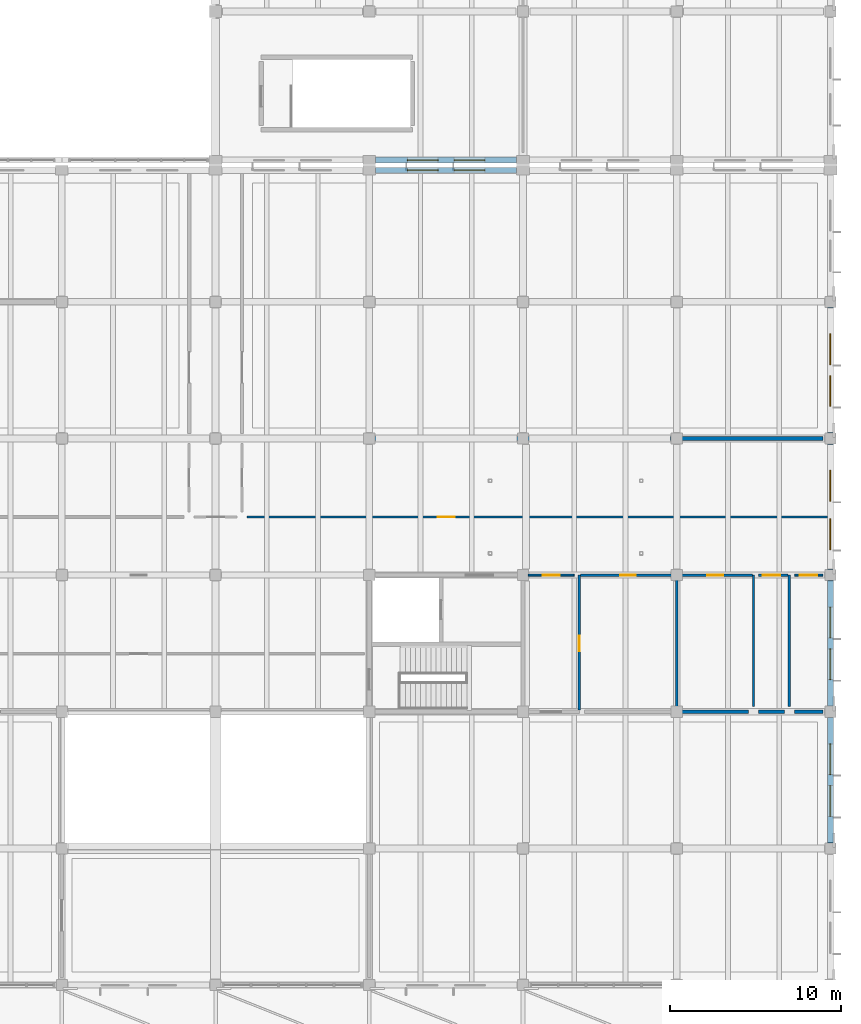
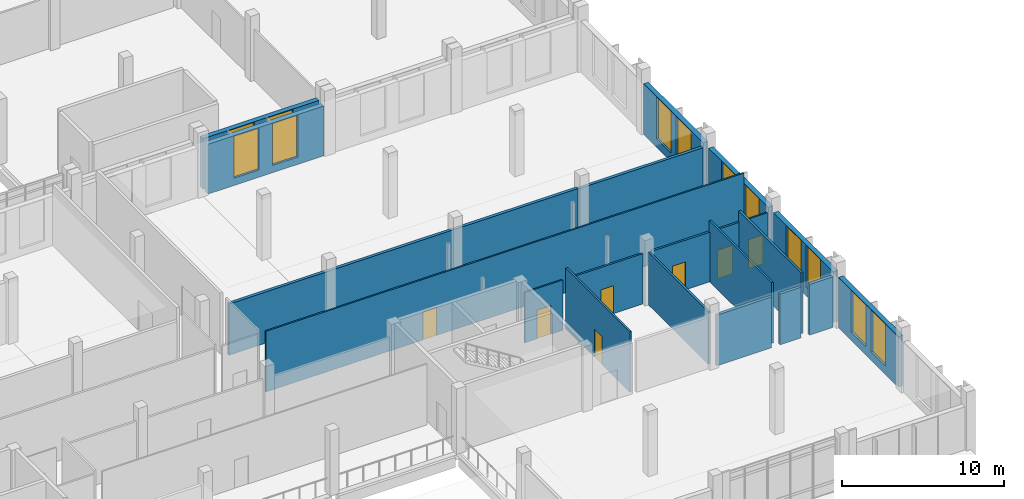
# One storey, part 87 of 110: 21 walls, 12 windows, 7 doors, 19 openings.
"""IFC4 building model written with IfcOpenShell, lengths in metres."""

from ifc_helpers import new_model, si_unit, direction, frame, frame_2d, origin, place, context, subcontext, project, spatial, rectangle, extrude, material, layer, layer_set, type_object, element, fill, save


model = new_model("IFC4")

# Units and contexts
model_context = context("Model", 3, precision=1e-05, world=origin(), true_north=direction((0.0, 1.0)))
body_context = subcontext(model_context, "Body", "Model", "MODEL_VIEW")
ifc_project = project(units=[si_unit("LENGTHUNIT", "METRE"), si_unit("AREAUNIT", "SQUARE_METRE"), si_unit("VOLUMEUNIT", "CUBIC_METRE"), si_unit("PLANEANGLEUNIT", "RADIAN"), si_unit("MASSUNIT", "GRAM", prefix="KILO")], contexts=[model_context])

# Site, building, storey
site_placement = place(None, origin())
site = spatial("IfcSite", under=ifc_project, at=site_placement, CompositionType="ELEMENT")
building_placement = place(site_placement, origin())
building = spatial("IfcBuilding", under=site, at=building_placement, Name="Zacnel Wholesale Market", CompositionType="ELEMENT")
storey_placement = place(building_placement, frame((0.0, 0.0, 6.300048828125)))
storey = spatial("IfcBuildingStorey", under=building, at=storey_placement, Name="L02", CompositionType="ELEMENT", Elevation=6.300048828125)

# Walls
ifc_material_1 = material(Name="PIR insulated cold-store panel")
ifc_layer_1 = layer(ifc_material_1, 0.195068359375)
ifc_layer_set_1 = layer_set([ifc_layer_1], Name="PIR insulated cold-store panel")
wall_type_1 = type_object("IfcWallType", Name="WL-COLD-INT195", PredefinedType="STANDARD", material=ifc_layer_set_1)
wall_1_placement = place(storey_placement, frame((211.800048828125, 16.0, 0.0), z_axis=(0.0, 0.0, 1.0), x_axis=(1.0, 0.0, 0.0)))
element("IfcWall", 1, at=wall_1_placement, inside=storey, type_object=wall_type_1, Name="Interior partition L02-0132", PredefinedType="STANDARD", context=body_context, shape_type="SweptSolid", body=[
    extrude(rectangle(XDim=1.5, YDim=0.195068359375, at=frame_2d((0.75, 0.0))), origin(), (0.0, 0.0, 1.0), 3.81005859375),
])
ifc_material_2 = material(Name="PIR insulated cold-store panel")
ifc_layer_2 = layer(ifc_material_2, 0.2099609375)
ifc_layer_set_2 = layer_set([ifc_layer_2], Name="PIR insulated cold-store panel")
wall_type_2 = type_object("IfcWallType", Name="WL-COLD-INT210", PredefinedType="STANDARD", material=ifc_layer_set_2)
wall_2_placement = place(storey_placement, frame((181.85009765625, 32.0, 0.0), z_axis=(0.0, 0.0, 1.0), x_axis=(1.0, 0.0, 0.0)))
element("IfcWall", 2, at=wall_2_placement, inside=storey, type_object=wall_type_2, Name="Interior partition L02-0121", PredefinedType="STANDARD", context=body_context, shape_type="SweptSolid", body=[
    extrude(rectangle(XDim=24.824951171875, YDim=0.2099609375, at=frame_2d((12.41259765625, 0.0))), origin(), (0.0, 0.0, 1.0), 3.849853515625),
])
wall_3_placement = place(storey_placement, frame((207.300048828125, 16.0, 0.0), z_axis=(0.0, 0.0, 1.0), x_axis=(1.0, 0.0, 0.0)))
element("IfcWall", 3, at=wall_3_placement, inside=storey, type_object=wall_type_2, Name="Interior partition L02-0131", PredefinedType="STANDARD", context=body_context, shape_type="SweptSolid", body=[
    extrude(rectangle(XDim=3.89990234375, YDim=0.2099609375, at=frame_2d((1.949951171875, 0.0))), origin(), (0.0, 0.0, 1.0), 3.81005859375),
])
wall_4_placement = place(storey_placement, frame((213.89990234375, 16.0, 0.0), z_axis=(0.0, 0.0, 1.0), x_axis=(1.0, 0.0, 0.0)))
element("IfcWall", 4, at=wall_4_placement, inside=storey, type_object=wall_type_2, Name="Interior partition L02-0133", PredefinedType="STANDARD", context=body_context, shape_type="SweptSolid", body=[
    extrude(rectangle(XDim=1.650146484375, YDim=0.2099609375, at=frame_2d((0.8251953125, 0.0))), origin(), (0.0, 0.0, 1.0), 3.81005859375),
])
wall_5_placement = place(storey_placement, frame((206.675048828125, 32.0, 0.0), z_axis=(0.0, 0.0, 1.0), x_axis=(1.0, 0.0, 0.0)))
element("IfcWall", 5, at=wall_5_placement, inside=storey, type_object=wall_type_2, Name="Interior partition L02-0121 part 2", PredefinedType="STANDARD", context=body_context, shape_type="SweptSolid", body=[
    extrude(rectangle(XDim=8.875, YDim=0.2099609375, at=frame_2d((4.4375, 0.0))), origin(), (0.0, 0.0, 1.0), 3.81005859375),
])

# Wall, openings, windows
ifc_material_3 = material(Name="Precast concrete C40/50 (Cancun limestone aggregate)", Category="masonry")
ifc_layer_3 = layer(ifc_material_3, 0.340087890625)
ifc_layer_set_3 = layer_set([ifc_layer_3], Name="Precast concrete C40/50 (Cancun limestone aggregate)")
wall_type_3 = type_object("IfcWallType", Name="WL-EXT-LIME-340", PredefinedType="SOLIDWALL", material=ifc_layer_set_3)
wall_6_placement = place(storey_placement, frame((189.375, 47.699951171875, 0.0), z_axis=(0.0, 0.0, 1.0), x_axis=(1.0, 0.0, 0.0)))
wall_6 = element("IfcWall", 6, at=wall_6_placement, inside=storey, type_object=wall_type_3, Name="Exterior wall L02-0268", PredefinedType="SOLIDWALL", context=body_context, shape_type="SweptSolid", body=[
    extrude(rectangle(XDim=8.25, YDim=0.340087890625, at=frame_2d((4.125, 0.0))), origin(), (0.0, 0.0, 1.0), 3.739990234375),
])
opening_1_placement = place(wall_6_placement, frame((1.85009765625, 0.0, 0.550048828125)))
opening_1 = element("IfcOpeningElement", 7, at=opening_1_placement, cuts=wall_6, Name="Opening W-03", PredefinedType="OPENING", context=body_context, shape_type="SweptSolid", body=[
    extrude(rectangle(XDim=1.800048828125, YDim=3.14990234375, at=frame_2d((0.89990234375, 1.574951171875))), frame((0.0, 0.179931640625, 0.0), z_axis=(0.0, -1.0, 0.0), x_axis=(1.0, 0.0, 0.0)), (0.0, 0.0, 1.0), 0.360107421875),
])
opening_2_placement = place(wall_6_placement, frame((4.60009765625, 0.0, 0.550048828125)))
opening_2 = element("IfcOpeningElement", 8, at=opening_2_placement, cuts=wall_6, Name="Opening W-03", PredefinedType="OPENING", context=body_context, shape_type="SweptSolid", body=[
    extrude(rectangle(XDim=1.800048828125, YDim=3.14990234375, at=frame_2d((0.89990234375, 1.574951171875))), frame((0.0, 0.179931640625, 0.0), z_axis=(0.0, -1.0, 0.0), x_axis=(1.0, 0.0, 0.0)), (0.0, 0.0, 1.0), 0.360107421875),
])
ifc_material_4 = material(Name="Laminated hurricane-impact low-E insulated glass", Category="glass")
window_type = type_object("IfcWindowType", Name="WIN-DEC-1800X3150", PartitioningType="DOUBLE_PANEL_VERTICAL", PredefinedType="WINDOW", material=ifc_material_4)
window_1_placement = place(opening_1_placement, origin())
window_1 = element("IfcWindow", 9, at=window_1_placement, inside=storey, type_object=window_type, Name="Window L02-0271", OverallHeight=3.14990234375, OverallWidth=1.800048828125, PartitioningType="DOUBLE_PANEL_VERTICAL", PredefinedType="WINDOW", context=body_context, shape_type="SweptSolid", body=[
    extrude(rectangle(XDim=1.800048828125, YDim=3.14990234375, at=frame_2d((0.89990234375, 1.574951171875))), frame((0.0, 0.030029296875, 0.0), z_axis=(0.0, -1.0, 0.0), x_axis=(1.0, 0.0, 0.0)), (0.0, 0.0, 1.0), 0.06005859375),
])
fill(opening_1, window_1)
window_2_placement = place(opening_2_placement, origin())
window_2 = element("IfcWindow", 10, at=window_2_placement, inside=storey, type_object=window_type, Name="Window L02-0272", OverallHeight=3.14990234375, OverallWidth=1.800048828125, PartitioningType="DOUBLE_PANEL_VERTICAL", PredefinedType="WINDOW", context=body_context, shape_type="SweptSolid", body=[
    extrude(rectangle(XDim=1.800048828125, YDim=3.14990234375, at=frame_2d((0.89990234375, 1.574951171875))), frame((0.0, 0.030029296875, 0.0), z_axis=(0.0, -1.0, 0.0), x_axis=(1.0, 0.0, 0.0)), (0.0, 0.0, 1.0), 0.06005859375),
])
fill(opening_2, window_2)

wall_7_placement = place(storey_placement, frame((216.0, 8.324951171875, 0.0), z_axis=(0.0, 0.0, 1.0), x_axis=(0.0, 1.0, 0.0)))
wall_7 = element("IfcWall", 11, at=wall_7_placement, inside=storey, type_object=wall_type_3, Name="Exterior wall L02-0278", PredefinedType="SOLIDWALL", context=body_context, shape_type="SweptSolid", body=[
    extrude(rectangle(XDim=7.35009765625, YDim=0.340087890625, at=frame_2d((3.675048828125, 0.0))), origin(), (0.0, 0.0, 1.0), 3.81005859375),
])
opening_3_placement = place(wall_7_placement, frame((1.550048828125, 0.0, 0.6201171875)))
opening_3 = element("IfcOpeningElement", 12, at=opening_3_placement, cuts=wall_7, Name="Opening W-03", PredefinedType="OPENING", context=body_context, shape_type="SweptSolid", body=[
    extrude(rectangle(XDim=1.800048828125, YDim=3.14990234375, at=frame_2d((0.89990234375, 1.574951171875))), frame((0.0, 0.179931640625, 0.0), z_axis=(0.0, -1.0, 0.0), x_axis=(1.0, 0.0, 0.0)), (0.0, 0.0, 1.0), 0.360107421875),
])
opening_4_placement = place(wall_7_placement, frame((4.0, 0.0, 0.6201171875)))
opening_4 = element("IfcOpeningElement", 13, at=opening_4_placement, cuts=wall_7, Name="Opening W-03", PredefinedType="OPENING", context=body_context, shape_type="SweptSolid", body=[
    extrude(rectangle(XDim=1.800048828125, YDim=3.14990234375, at=frame_2d((0.89990234375, 1.574951171875))), frame((0.0, 0.179931640625, 0.0), z_axis=(0.0, -1.0, 0.0), x_axis=(1.0, 0.0, 0.0)), (0.0, 0.0, 1.0), 0.360107421875),
])
window_3_placement = place(opening_3_placement, origin())
window_3 = element("IfcWindow", 14, at=window_3_placement, inside=storey, type_object=window_type, Name="Window L02-0291", OverallHeight=3.14990234375, OverallWidth=1.800048828125, PartitioningType="DOUBLE_PANEL_VERTICAL", PredefinedType="WINDOW", context=body_context, shape_type="SweptSolid", body=[
    extrude(rectangle(XDim=1.800048828125, YDim=3.14990234375, at=frame_2d((0.89990234375, 1.574951171875))), frame((0.0, 0.030029296875, 0.0), z_axis=(0.0, -1.0, 0.0), x_axis=(1.0, 0.0, 0.0)), (0.0, 0.0, 1.0), 0.06005859375),
])
fill(opening_3, window_3)
window_4_placement = place(opening_4_placement, origin())
window_4 = element("IfcWindow", 15, at=window_4_placement, inside=storey, type_object=window_type, Name="Window L02-0292", OverallHeight=3.14990234375, OverallWidth=1.800048828125, PartitioningType="DOUBLE_PANEL_VERTICAL", PredefinedType="WINDOW", context=body_context, shape_type="SweptSolid", body=[
    extrude(rectangle(XDim=1.800048828125, YDim=3.14990234375, at=frame_2d((0.89990234375, 1.574951171875))), frame((0.0, 0.030029296875, 0.0), z_axis=(0.0, -1.0, 0.0), x_axis=(1.0, 0.0, 0.0)), (0.0, 0.0, 1.0), 0.06005859375),
])
fill(opening_4, window_4)

wall_8_placement = place(storey_placement, frame((216.0, 16.324951171875, 0.0), z_axis=(0.0, 0.0, 1.0), x_axis=(0.0, 1.0, 0.0)))
wall_8 = element("IfcWall", 16, at=wall_8_placement, inside=storey, type_object=wall_type_3, Name="Exterior wall L02-0279", PredefinedType="SOLIDWALL", context=body_context, shape_type="SweptSolid", body=[
    extrude(rectangle(XDim=7.35009765625, YDim=0.340087890625, at=frame_2d((3.675048828125, 0.0))), origin(), (0.0, 0.0, 1.0), 3.81005859375),
])
opening_5_placement = place(wall_8_placement, frame((1.550048828125, 0.0, 0.6201171875)))
opening_5 = element("IfcOpeningElement", 17, at=opening_5_placement, cuts=wall_8, Name="Opening W-03", PredefinedType="OPENING", context=body_context, shape_type="SweptSolid", body=[
    extrude(rectangle(XDim=1.800048828125, YDim=3.14990234375, at=frame_2d((0.89990234375, 1.574951171875))), frame((0.0, 0.179931640625, 0.0), z_axis=(0.0, -1.0, 0.0), x_axis=(1.0, 0.0, 0.0)), (0.0, 0.0, 1.0), 0.360107421875),
])
opening_6_placement = place(wall_8_placement, frame((4.0, 0.0, 0.6201171875)))
opening_6 = element("IfcOpeningElement", 18, at=opening_6_placement, cuts=wall_8, Name="Opening W-03", PredefinedType="OPENING", context=body_context, shape_type="SweptSolid", body=[
    extrude(rectangle(XDim=1.800048828125, YDim=3.14990234375, at=frame_2d((0.89990234375, 1.574951171875))), frame((0.0, 0.179931640625, 0.0), z_axis=(0.0, -1.0, 0.0), x_axis=(1.0, 0.0, 0.0)), (0.0, 0.0, 1.0), 0.360107421875),
])
window_5_placement = place(opening_5_placement, origin())
window_5 = element("IfcWindow", 19, at=window_5_placement, inside=storey, type_object=window_type, Name="Window L02-0293", OverallHeight=3.14990234375, OverallWidth=1.800048828125, PartitioningType="DOUBLE_PANEL_VERTICAL", PredefinedType="WINDOW", context=body_context, shape_type="SweptSolid", body=[
    extrude(rectangle(XDim=1.800048828125, YDim=3.14990234375, at=frame_2d((0.89990234375, 1.574951171875))), frame((0.0, 0.030029296875, 0.0), z_axis=(0.0, -1.0, 0.0), x_axis=(1.0, 0.0, 0.0)), (0.0, 0.0, 1.0), 0.06005859375),
])
fill(opening_5, window_5)
window_6_placement = place(opening_6_placement, origin())
window_6 = element("IfcWindow", 20, at=window_6_placement, inside=storey, type_object=window_type, Name="Window L02-0294", OverallHeight=3.14990234375, OverallWidth=1.800048828125, PartitioningType="DOUBLE_PANEL_VERTICAL", PredefinedType="WINDOW", context=body_context, shape_type="SweptSolid", body=[
    extrude(rectangle(XDim=1.800048828125, YDim=3.14990234375, at=frame_2d((0.89990234375, 1.574951171875))), frame((0.0, 0.030029296875, 0.0), z_axis=(0.0, -1.0, 0.0), x_axis=(1.0, 0.0, 0.0)), (0.0, 0.0, 1.0), 0.06005859375),
])
fill(opening_6, window_6)

wall_9_placement = place(storey_placement, frame((216.0, 24.324951171875, 0.0), z_axis=(0.0, 0.0, 1.0), x_axis=(0.0, 1.0, 0.0)))
wall_9 = element("IfcWall", 21, at=wall_9_placement, inside=storey, type_object=wall_type_3, Name="Exterior wall L02-0280", PredefinedType="SOLIDWALL", context=body_context, shape_type="SweptSolid", body=[
    extrude(rectangle(XDim=7.35009765625, YDim=0.340087890625, at=frame_2d((3.675048828125, 0.0))), origin(), (0.0, 0.0, 1.0), 3.81005859375),
])
opening_7_placement = place(wall_9_placement, frame((1.1689453125, 0.0, 0.6201171875)))
opening_7 = element("IfcOpeningElement", 22, at=opening_7_placement, cuts=wall_9, Name="Opening W-03", PredefinedType="OPENING", context=body_context, shape_type="SweptSolid", body=[
    extrude(rectangle(XDim=1.800048828125, YDim=3.14990234375, at=frame_2d((0.89990234375, 1.574951171875))), frame((0.0, 0.179931640625, 0.0), z_axis=(0.0, -1.0, 0.0), x_axis=(1.0, 0.0, 0.0)), (0.0, 0.0, 1.0), 0.360107421875),
])
opening_8_placement = place(wall_9_placement, frame((4.0, 0.0, 0.6201171875)))
opening_8 = element("IfcOpeningElement", 23, at=opening_8_placement, cuts=wall_9, Name="Opening W-03", PredefinedType="OPENING", context=body_context, shape_type="SweptSolid", body=[
    extrude(rectangle(XDim=1.800048828125, YDim=3.14990234375, at=frame_2d((0.89990234375, 1.574951171875))), frame((0.0, 0.179931640625, 0.0), z_axis=(0.0, -1.0, 0.0), x_axis=(1.0, 0.0, 0.0)), (0.0, 0.0, 1.0), 0.360107421875),
])
window_7_placement = place(opening_7_placement, origin())
window_7 = element("IfcWindow", 24, at=window_7_placement, inside=storey, type_object=window_type, Name="Window L02-0295", OverallHeight=3.14990234375, OverallWidth=1.800048828125, PartitioningType="DOUBLE_PANEL_VERTICAL", PredefinedType="WINDOW", context=body_context, shape_type="SweptSolid", body=[
    extrude(rectangle(XDim=1.800048828125, YDim=3.14990234375, at=frame_2d((0.89990234375, 1.574951171875))), frame((0.0, 0.030029296875, 0.0), z_axis=(0.0, -1.0, 0.0), x_axis=(1.0, 0.0, 0.0)), (0.0, 0.0, 1.0), 0.06005859375),
])
fill(opening_7, window_7)
window_8_placement = place(opening_8_placement, origin())
window_8 = element("IfcWindow", 25, at=window_8_placement, inside=storey, type_object=window_type, Name="Window L02-0296", OverallHeight=3.14990234375, OverallWidth=1.800048828125, PartitioningType="DOUBLE_PANEL_VERTICAL", PredefinedType="WINDOW", context=body_context, shape_type="SweptSolid", body=[
    extrude(rectangle(XDim=1.800048828125, YDim=3.14990234375, at=frame_2d((0.89990234375, 1.574951171875))), frame((0.0, 0.030029296875, 0.0), z_axis=(0.0, -1.0, 0.0), x_axis=(1.0, 0.0, 0.0)), (0.0, 0.0, 1.0), 0.06005859375),
])
fill(opening_8, window_8)

wall_10_placement = place(storey_placement, frame((216.0, 32.324951171875, 0.0), z_axis=(0.0, 0.0, 1.0), x_axis=(0.0, 1.0, 0.0)))
wall_10 = element("IfcWall", 26, at=wall_10_placement, inside=storey, type_object=wall_type_3, Name="Exterior wall L02-0281", PredefinedType="SOLIDWALL", context=body_context, shape_type="SweptSolid", body=[
    extrude(rectangle(XDim=7.35009765625, YDim=0.340087890625, at=frame_2d((3.675048828125, 0.0))), origin(), (0.0, 0.0, 1.0), 3.81005859375),
])
opening_9_placement = place(wall_10_placement, frame((1.550048828125, 0.0, 0.6201171875)))
opening_9 = element("IfcOpeningElement", 27, at=opening_9_placement, cuts=wall_10, Name="Opening W-03", PredefinedType="OPENING", context=body_context, shape_type="SweptSolid", body=[
    extrude(rectangle(XDim=1.800048828125, YDim=3.14990234375, at=frame_2d((0.89990234375, 1.574951171875))), frame((0.0, 0.179931640625, 0.0), z_axis=(0.0, -1.0, 0.0), x_axis=(1.0, 0.0, 0.0)), (0.0, 0.0, 1.0), 0.360107421875),
])
opening_10_placement = place(wall_10_placement, frame((4.0, 0.0, 0.6201171875)))
opening_10 = element("IfcOpeningElement", 28, at=opening_10_placement, cuts=wall_10, Name="Opening W-03", PredefinedType="OPENING", context=body_context, shape_type="SweptSolid", body=[
    extrude(rectangle(XDim=1.800048828125, YDim=3.14990234375, at=frame_2d((0.89990234375, 1.574951171875))), frame((0.0, 0.179931640625, 0.0), z_axis=(0.0, -1.0, 0.0), x_axis=(1.0, 0.0, 0.0)), (0.0, 0.0, 1.0), 0.360107421875),
])
window_9_placement = place(opening_9_placement, origin())
window_9 = element("IfcWindow", 29, at=window_9_placement, inside=storey, type_object=window_type, Name="Window L02-0297", OverallHeight=3.14990234375, OverallWidth=1.800048828125, PartitioningType="DOUBLE_PANEL_VERTICAL", PredefinedType="WINDOW", context=body_context, shape_type="SweptSolid", body=[
    extrude(rectangle(XDim=1.800048828125, YDim=3.14990234375, at=frame_2d((0.89990234375, 1.574951171875))), frame((0.0, 0.030029296875, 0.0), z_axis=(0.0, -1.0, 0.0), x_axis=(1.0, 0.0, 0.0)), (0.0, 0.0, 1.0), 0.06005859375),
])
fill(opening_9, window_9)
window_10_placement = place(opening_10_placement, origin())
window_10 = element("IfcWindow", 30, at=window_10_placement, inside=storey, type_object=window_type, Name="Window L02-0298", OverallHeight=3.14990234375, OverallWidth=1.800048828125, PartitioningType="DOUBLE_PANEL_VERTICAL", PredefinedType="WINDOW", context=body_context, shape_type="SweptSolid", body=[
    extrude(rectangle(XDim=1.800048828125, YDim=3.14990234375, at=frame_2d((0.89990234375, 1.574951171875))), frame((0.0, 0.030029296875, 0.0), z_axis=(0.0, -1.0, 0.0), x_axis=(1.0, 0.0, 0.0)), (0.0, 0.0, 1.0), 0.06005859375),
])
fill(opening_10, window_10)

wall_11_placement = place(storey_placement, frame((189.375, 48.300048828125, 0.0), z_axis=(0.0, 0.0, 1.0), x_axis=(1.0, 0.0, 0.0)))
wall_11 = element("IfcWall", 31, at=wall_11_placement, inside=storey, type_object=wall_type_3, Name="Exterior wall L02-0299", PredefinedType="SOLIDWALL", context=body_context, shape_type="SweptSolid", body=[
    extrude(rectangle(XDim=8.25, YDim=0.340087890625, at=frame_2d((4.125, 0.0))), origin(), (0.0, 0.0, 1.0), 3.800048828125),
])
opening_11_placement = place(wall_11_placement, frame((1.85009765625, 0.0, 0.610107421875)))
opening_11 = element("IfcOpeningElement", 32, at=opening_11_placement, cuts=wall_11, Name="Opening W-03", PredefinedType="OPENING", context=body_context, shape_type="SweptSolid", body=[
    extrude(rectangle(XDim=1.800048828125, YDim=3.14990234375, at=frame_2d((0.89990234375, 1.574951171875))), frame((0.0, 0.179931640625, 0.0), z_axis=(0.0, -1.0, 0.0), x_axis=(1.0, 0.0, 0.0)), (0.0, 0.0, 1.0), 0.360107421875),
])
opening_12_placement = place(wall_11_placement, frame((4.60009765625, 0.0, 0.610107421875)))
opening_12 = element("IfcOpeningElement", 33, at=opening_12_placement, cuts=wall_11, Name="Opening W-03", PredefinedType="OPENING", context=body_context, shape_type="SweptSolid", body=[
    extrude(rectangle(XDim=1.800048828125, YDim=3.14990234375, at=frame_2d((0.89990234375, 1.574951171875))), frame((0.0, 0.179931640625, 0.0), z_axis=(0.0, -1.0, 0.0), x_axis=(1.0, 0.0, 0.0)), (0.0, 0.0, 1.0), 0.360107421875),
])
window_11_placement = place(opening_11_placement, origin())
window_11 = element("IfcWindow", 34, at=window_11_placement, inside=storey, type_object=window_type, Name="Window L02-0333", OverallHeight=3.14990234375, OverallWidth=1.800048828125, PartitioningType="DOUBLE_PANEL_VERTICAL", PredefinedType="WINDOW", context=body_context, shape_type="SweptSolid", body=[
    extrude(rectangle(XDim=1.800048828125, YDim=3.14990234375, at=frame_2d((0.89990234375, 1.574951171875))), frame((0.0, 0.030029296875, 0.0), z_axis=(0.0, -1.0, 0.0), x_axis=(1.0, 0.0, 0.0)), (0.0, 0.0, 1.0), 0.06005859375),
])
fill(opening_11, window_11)
window_12_placement = place(opening_12_placement, origin())
window_12 = element("IfcWindow", 35, at=window_12_placement, inside=storey, type_object=window_type, Name="Window L02-0334", OverallHeight=3.14990234375, OverallWidth=1.800048828125, PartitioningType="DOUBLE_PANEL_VERTICAL", PredefinedType="WINDOW", context=body_context, shape_type="SweptSolid", body=[
    extrude(rectangle(XDim=1.800048828125, YDim=3.14990234375, at=frame_2d((0.89990234375, 1.574951171875))), frame((0.0, 0.030029296875, 0.0), z_axis=(0.0, -1.0, 0.0), x_axis=(1.0, 0.0, 0.0)), (0.0, 0.0, 1.0), 0.06005859375),
])
fill(opening_12, window_12)

# Wall, opening, door
ifc_material_5 = material(Name="Moisture-resistant gypsum board partition")
ifc_layer_4 = layer(ifc_material_5, 0.110107421875)
ifc_layer_set_4 = layer_set([ifc_layer_4], Name="Moisture-resistant gypsum board partition")
wall_type_4 = type_object("IfcWallType", Name="WL-PART-GYP110", PredefinedType="PARTITIONING", material=ifc_layer_set_4)
wall_12_placement = place(storey_placement, frame((181.85009765625, 27.39990234375, 0.0), z_axis=(0.0, 0.0, 1.0), x_axis=(1.0, 0.0, 0.0)))
wall_12 = element("IfcWall", 36, at=wall_12_placement, inside=storey, type_object=wall_type_4, Name="Interior partition L02-0107", PredefinedType="PARTITIONING", context=body_context, shape_type="SweptSolid", body=[
    extrude(rectangle(XDim=34.0, YDim=0.110107421875, at=frame_2d((17.0, 0.0))), origin(), (0.0, 0.0, 1.0), 4.56005859375),
])
opening_13_placement = place(wall_12_placement, frame((11.159912109375, 0.0, 0.0)))
opening_13 = element("IfcOpeningElement", 37, at=opening_13_placement, cuts=wall_12, Name="Opening ID-04", PredefinedType="OPENING", context=body_context, shape_type="SweptSolid", body=[
    extrude(rectangle(XDim=0.97998046875, YDim=2.1201171875, at=frame_2d((0.489990234375, 1.06005859375))), frame((0.0, 0.06494140625, 0.0), z_axis=(0.0, -1.0, 0.0), x_axis=(1.0, 0.0, 0.0)), (0.0, 0.0, 1.0), 0.130126953125),
])
ifc_material_6 = material(Name="Solid-core tropical hardwood door", Category="wood")
door_type_1 = type_object("IfcDoorType", Name="DR-OFF-SGL-980", OperationType="NOTDEFINED", PredefinedType="DOOR", material=ifc_material_6)
door_1_placement = place(opening_13_placement, origin())
door_1 = element("IfcDoor", 38, at=door_1_placement, inside=storey, type_object=door_type_1, Name="Interior door L02-0087", OperationType="SINGLE_SWING_LEFT", OverallHeight=2.1201171875, OverallWidth=0.97998046875, PredefinedType="DOOR", context=body_context, shape_type="SweptSolid", body=[
    extrude(rectangle(XDim=0.97998046875, YDim=2.1201171875, at=frame_2d((0.489990234375, 1.06005859375))), frame((0.0, 0.02490234375, 0.0), z_axis=(0.0, -1.0, 0.0), x_axis=(1.0, 0.0, 0.0)), (0.0, 0.0, 1.0), 0.050048828125),
])
fill(opening_13, door_1)

wall_13_placement = place(storey_placement, frame((198.300048828125, 24.0, 0.0), z_axis=(0.0, 0.0, 1.0), x_axis=(1.0, 0.0, 0.0)))
wall_13 = element("IfcWall", 39, at=wall_13_placement, inside=storey, type_object=wall_type_4, Name="Interior partition L02-0111", PredefinedType="PARTITIONING", context=body_context, shape_type="SweptSolid", body=[
    extrude(rectangle(XDim=2.699951171875, YDim=0.110107421875, at=frame_2d((1.35009765625, 0.0))), origin(), (0.0, 0.0, 1.0), 3.780029296875),
])
opening_14_placement = place(wall_13_placement, frame((0.85009765625, 0.0, 0.0)))
opening_14 = element("IfcOpeningElement", 40, at=opening_14_placement, cuts=wall_13, Name="Opening ID-03", PredefinedType="OPENING", context=body_context, shape_type="SweptSolid", body=[
    extrude(rectangle(XDim=1.0, YDim=2.14990234375, at=frame_2d((0.5, 1.074951171875))), frame((0.0, 0.06494140625, 0.0), z_axis=(0.0, -1.0, 0.0), x_axis=(1.0, 0.0, 0.0)), (0.0, 0.0, 1.0), 0.130126953125),
])
ifc_material_7 = material(Name="Solid-core tropical hardwood door", Category="wood")
door_type_2 = type_object("IfcDoorType", Name="DR-OFF-SGL-1000", OperationType="NOTDEFINED", PredefinedType="DOOR", material=ifc_material_7)
door_2_placement = place(opening_14_placement, origin())
door_2 = element("IfcDoor", 41, at=door_2_placement, inside=storey, type_object=door_type_2, Name="Interior door L02-0091", OperationType="SINGLE_SWING_LEFT", OverallHeight=2.14990234375, OverallWidth=1.0, PredefinedType="DOOR", context=body_context, shape_type="SweptSolid", body=[
    extrude(rectangle(XDim=1.0, YDim=2.14990234375, at=frame_2d((0.5, 1.074951171875))), frame((0.0, 0.02490234375, 0.0), z_axis=(0.0, -1.0, 0.0), x_axis=(1.0, 0.0, 0.0)), (0.0, 0.0, 1.0), 0.050048828125),
])
fill(opening_14, door_2)

wall_14_placement = place(storey_placement, frame((213.89990234375, 24.0, 0.0), z_axis=(0.0, 0.0, 1.0), x_axis=(1.0, 0.0, 0.0)))
wall_14 = element("IfcWall", 42, at=wall_14_placement, inside=storey, type_object=wall_type_4, Name="Interior partition L02-0115", PredefinedType="PARTITIONING", context=body_context, shape_type="SweptSolid", body=[
    extrude(rectangle(XDim=1.650146484375, YDim=0.110107421875, at=frame_2d((0.8251953125, 0.0))), origin(), (0.0, 0.0, 1.0), 3.739990234375),
])
opening_15_placement = place(wall_14_placement, frame((0.31494140625, 0.0, 0.0)))
opening_15 = element("IfcOpeningElement", 43, at=opening_15_placement, cuts=wall_14, Name="Opening ID-12", PredefinedType="OPENING", context=body_context, shape_type="SweptSolid", body=[
    extrude(rectangle(XDim=1.02001953125, YDim=2.179931640625, at=frame_2d((0.510009765625, 1.08984375))), frame((0.0, 0.06494140625, 0.0), z_axis=(0.0, -1.0, 0.0), x_axis=(1.0, 0.0, 0.0)), (0.0, 0.0, 1.0), 0.130126953125),
])
ifc_material_8 = material(Name="Solid-core tropical hardwood door", Category="wood")
door_type_3 = type_object("IfcDoorType", Name="DR-OFF-SGL-1020", OperationType="NOTDEFINED", PredefinedType="DOOR", material=ifc_material_8)
door_3_placement = place(opening_15_placement, origin())
door_3 = element("IfcDoor", 44, at=door_3_placement, inside=storey, type_object=door_type_3, Name="Interior door L02-0095", OperationType="SINGLE_SWING_LEFT", OverallHeight=2.179931640625, OverallWidth=1.02001953125, PredefinedType="DOOR", context=body_context, shape_type="SweptSolid", body=[
    extrude(rectangle(XDim=1.02001953125, YDim=2.179931640625, at=frame_2d((0.510009765625, 1.08984375))), frame((0.0, 0.02490234375, 0.0), z_axis=(0.0, -1.0, 0.0), x_axis=(1.0, 0.0, 0.0)), (0.0, 0.0, 1.0), 0.050048828125),
])
fill(opening_15, door_3)

ifc_material_9 = material(Name="Concrete blockwork masonry", Category="masonry")
ifc_layer_5 = layer(ifc_material_9, 0.135009765625)
ifc_layer_set_5 = layer_set([ifc_layer_5], Name="Concrete blockwork masonry")
wall_type_5 = type_object("IfcWallType", Name="WL-PART-MAS135", PredefinedType="PARTITIONING", material=ifc_layer_set_5)
wall_15_placement = place(storey_placement, frame((201.367431640625, 24.0, 0.0), z_axis=(0.0, 0.0, 1.0), x_axis=(1.0, 0.0, 0.0)))
wall_15 = element("IfcWall", 45, at=wall_15_placement, inside=storey, type_object=wall_type_5, Name="Interior partition L02-0112", PredefinedType="PARTITIONING", context=body_context, shape_type="SweptSolid", body=[
    extrude(rectangle(XDim=5.33251953125, YDim=0.135009765625, at=frame_2d((2.666259765625, 0.0))), origin(), (0.0, 0.0, 1.0), 3.780029296875),
])
opening_16_placement = place(wall_15_placement, frame((2.322509765625, 0.0, 0.0)))
opening_16 = element("IfcOpeningElement", 46, at=opening_16_placement, cuts=wall_15, Name="Opening ID-08", PredefinedType="OPENING", context=body_context, shape_type="SweptSolid", body=[
    extrude(rectangle(XDim=0.919921875, YDim=2.10009765625, at=frame_2d((0.4599609375, 1.050048828125))), frame((0.0, 0.077392578125, 0.0), z_axis=(0.0, -1.0, 0.0), x_axis=(1.0, 0.0, 0.0)), (0.0, 0.0, 1.0), 0.155029296875),
])
ifc_material_10 = material(Name="Solid-core tropical hardwood door", Category="wood")
door_type_4 = type_object("IfcDoorType", Name="DR-WC-STD-920", OperationType="NOTDEFINED", PredefinedType="DOOR", material=ifc_material_10)
door_4_placement = place(opening_16_placement, origin())
door_4 = element("IfcDoor", 47, at=door_4_placement, inside=storey, type_object=door_type_4, Name="Interior door L02-0092", OperationType="SINGLE_SWING_RIGHT", OverallHeight=2.10009765625, OverallWidth=0.919921875, PredefinedType="DOOR", context=body_context, shape_type="SweptSolid", body=[
    extrude(rectangle(XDim=0.919921875, YDim=2.10009765625, at=frame_2d((0.4599609375, 1.050048828125))), frame((0.0, 0.02490234375, 0.0), z_axis=(0.0, -1.0, 0.0), x_axis=(1.0, 0.0, 0.0)), (0.0, 0.0, 1.0), 0.050048828125),
])
fill(opening_16, door_4)

wall_16_placement = place(storey_placement, frame((211.800048828125, 24.0, 0.0), z_axis=(0.0, 0.0, 1.0), x_axis=(1.0, 0.0, 0.0)))
wall_16 = element("IfcWall", 48, at=wall_16_placement, inside=storey, type_object=wall_type_5, Name="Interior partition L02-0114", PredefinedType="PARTITIONING", context=body_context, shape_type="SweptSolid", body=[
    extrude(rectangle(XDim=1.724853515625, YDim=0.135009765625, at=frame_2d((0.8623046875, 0.0))), origin(), (0.0, 0.0, 1.0), 3.739990234375),
])
opening_17_placement = place(wall_16_placement, frame((0.22509765625, 0.0, 0.0)))
opening_17 = element("IfcOpeningElement", 49, at=opening_17_placement, cuts=wall_16, Name="Opening ID-07", PredefinedType="OPENING", context=body_context, shape_type="SweptSolid", body=[
    extrude(rectangle(XDim=1.050048828125, YDim=2.14990234375, at=frame_2d((0.52490234375, 1.074951171875))), frame((0.0, 0.077392578125, 0.0), z_axis=(0.0, -1.0, 0.0), x_axis=(1.0, 0.0, 0.0)), (0.0, 0.0, 1.0), 0.155029296875),
])
ifc_material_11 = material(Name="Solid-core tropical hardwood door", Category="wood")
door_type_5 = type_object("IfcDoorType", Name="DR-WC-ACC-1050", OperationType="NOTDEFINED", PredefinedType="DOOR", material=ifc_material_11)
door_5_placement = place(opening_17_placement, origin())
door_5 = element("IfcDoor", 50, at=door_5_placement, inside=storey, type_object=door_type_5, Name="Interior door L02-0094", OperationType="SINGLE_SWING_RIGHT", OverallHeight=2.14990234375, OverallWidth=1.050048828125, PredefinedType="DOOR", context=body_context, shape_type="SweptSolid", body=[
    extrude(rectangle(XDim=1.050048828125, YDim=2.14990234375, at=frame_2d((0.52490234375, 1.074951171875))), frame((0.0, 0.02490234375, 0.0), z_axis=(0.0, -1.0, 0.0), x_axis=(1.0, 0.0, 0.0)), (0.0, 0.0, 1.0), 0.050048828125),
])
fill(opening_17, door_5)

wall_17_placement = place(storey_placement, frame((201.300048828125, 16.10498046875, 0.0), z_axis=(0.0, 0.0, 1.0), x_axis=(0.0, 1.0, 0.0)))
wall_17 = element("IfcWall", 51, at=wall_17_placement, inside=storey, type_object=wall_type_5, Name="Interior partition L02-0134", PredefinedType="PARTITIONING", context=body_context, shape_type="SweptSolid", body=[
    extrude(rectangle(XDim=7.89501953125, YDim=0.135009765625, at=frame_2d((3.947509765625, 0.0))), origin(), (0.0, 0.0, 1.0), 4.56005859375),
])
opening_18_placement = place(wall_17_placement, frame((3.43505859375, 0.0, 0.0)))
opening_18 = element("IfcOpeningElement", 52, at=opening_18_placement, cuts=wall_17, Name="Opening ID-08", PredefinedType="OPENING", context=body_context, shape_type="SweptSolid", body=[
    extrude(rectangle(XDim=0.919921875, YDim=2.10009765625, at=frame_2d((0.4599609375, 1.050048828125))), frame((0.0, 0.077392578125, 0.0), z_axis=(0.0, -1.0, 0.0), x_axis=(1.0, 0.0, 0.0)), (0.0, 0.0, 1.0), 0.155029296875),
])
door_6_placement = place(opening_18_placement, origin())
door_6 = element("IfcDoor", 53, at=door_6_placement, inside=storey, type_object=door_type_4, Name="Interior door L02-0106", OperationType="SINGLE_SWING_RIGHT", OverallHeight=2.10009765625, OverallWidth=0.919921875, PredefinedType="DOOR", context=body_context, shape_type="SweptSolid", body=[
    extrude(rectangle(XDim=0.919921875, YDim=2.10009765625, at=frame_2d((0.4599609375, 1.050048828125))), frame((0.0, 0.02490234375, 0.0), z_axis=(0.0, -1.0, 0.0), x_axis=(1.0, 0.0, 0.0)), (0.0, 0.0, 1.0), 0.050048828125),
])
fill(opening_18, door_6)

# Wall
wall_18_placement = place(storey_placement, frame((211.5, 16.300048828125, 0.0), z_axis=(0.0, 0.0, 1.0), x_axis=(0.0, 1.0, 0.0)))
element("IfcWall", 54, at=wall_18_placement, inside=storey, type_object=wall_type_5, Name="Interior partition L02-0136", PredefinedType="PARTITIONING", context=body_context, shape_type="SweptSolid", body=[
    extrude(rectangle(XDim=7.699951171875, YDim=0.135009765625, at=frame_2d((3.85009765625, 0.0))), origin(), (0.0, 0.0, 1.0), 4.56005859375),
])

# Wall, opening, door
ifc_material_12 = material(Name="Concrete blockwork masonry", Category="masonry")
ifc_layer_6 = layer(ifc_material_12, 0.14990234375)
ifc_layer_set_6 = layer_set([ifc_layer_6], Name="Concrete blockwork masonry")
wall_type_6 = type_object("IfcWallType", Name="WL-PART-MAS150", PredefinedType="PARTITIONING", material=ifc_layer_set_6)
wall_19_placement = place(storey_placement, frame((207.300048828125, 24.0, 0.0), z_axis=(0.0, 0.0, 1.0), x_axis=(1.0, 0.0, 0.0)))
wall_19 = element("IfcWall", 55, at=wall_19_placement, inside=storey, type_object=wall_type_6, Name="Interior partition L02-0113", PredefinedType="PARTITIONING", context=body_context, shape_type="SweptSolid", body=[
    extrude(rectangle(XDim=4.132568359375, YDim=0.14990234375, at=frame_2d((2.06640625, 0.0))), origin(), (0.0, 0.0, 1.0), 3.739990234375),
])
opening_19_placement = place(wall_19_placement, frame((1.489990234375, 0.0, 0.0)))
opening_19 = element("IfcOpeningElement", 56, at=opening_19_placement, cuts=wall_19, Name="Opening ID-08", PredefinedType="OPENING", context=body_context, shape_type="SweptSolid", body=[
    extrude(rectangle(XDim=0.919921875, YDim=2.10009765625, at=frame_2d((0.4599609375, 1.050048828125))), frame((0.0, 0.0849609375, 0.0), z_axis=(0.0, -1.0, 0.0), x_axis=(1.0, 0.0, 0.0)), (0.0, 0.0, 1.0), 0.169921875),
])
door_7_placement = place(opening_19_placement, origin())
door_7 = element("IfcDoor", 57, at=door_7_placement, inside=storey, type_object=door_type_4, Name="Interior door L02-0093", OperationType="SINGLE_SWING_LEFT", OverallHeight=2.10009765625, OverallWidth=0.919921875, PredefinedType="DOOR", context=body_context, shape_type="SweptSolid", body=[
    extrude(rectangle(XDim=0.919921875, YDim=2.10009765625, at=frame_2d((0.4599609375, 1.050048828125))), frame((0.0, 0.02490234375, 0.0), z_axis=(0.0, -1.0, 0.0), x_axis=(1.0, 0.0, 0.0)), (0.0, 0.0, 1.0), 0.050048828125),
])
fill(opening_19, door_7)

# Walls
wall_20_placement = place(storey_placement, frame((207.0, 16.300048828125, 0.0), z_axis=(0.0, 0.0, 1.0), x_axis=(0.0, 1.0, 0.0)))
element("IfcWall", 58, at=wall_20_placement, inside=storey, type_object=wall_type_6, Name="Interior partition L02-0135", PredefinedType="PARTITIONING", context=body_context, shape_type="SweptSolid", body=[
    extrude(rectangle(XDim=7.39990234375, YDim=0.14990234375, at=frame_2d((3.699951171875, 0.0))), origin(), (0.0, 0.0, 1.0), 3.949951171875),
])
wall_21_placement = place(storey_placement, frame((213.60009765625, 16.300048828125, 0.0), z_axis=(0.0, 0.0, 1.0), x_axis=(0.0, 1.0, 0.0)))
element("IfcWall", 59, at=wall_21_placement, inside=storey, type_object=wall_type_6, Name="Interior partition L02-0137", PredefinedType="PARTITIONING", context=body_context, shape_type="SweptSolid", body=[
    extrude(rectangle(XDim=7.699951171875, YDim=0.14990234375, at=frame_2d((3.85009765625, 0.0))), origin(), (0.0, 0.0, 1.0), 4.56005859375),
])

save(model, "model.ifc")
